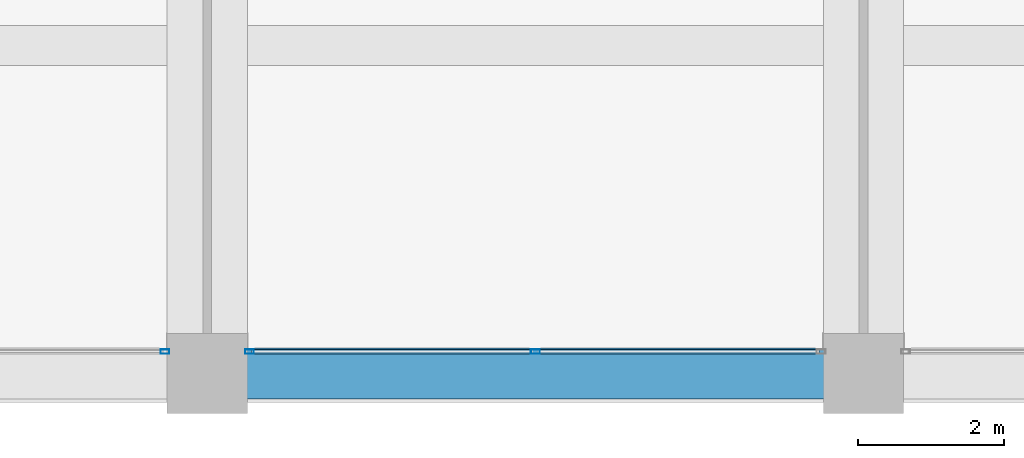
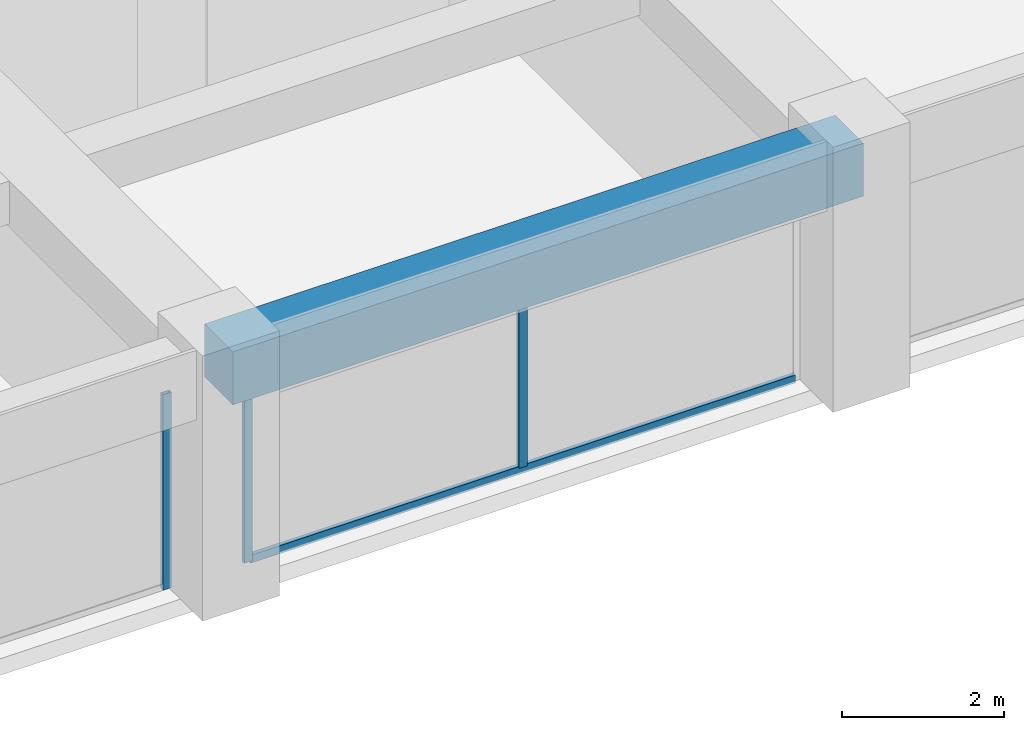
# One storey, part 9 of 45: 4 members, 1 beam, 2 elements without a shape of their own.
"""IFC4 building model written with IfcOpenShell, lengths in metres."""

import ifcopenshell
import ifcopenshell.guid

model = None  # the IFC model being written
_history = None  # IfcOwnerHistory: only IFC2X3 demands one
_inside = {}  # id of a spatial element -> (the spatial element, [elements in it])
_under = {}  # id of a project, library or spatial element -> (it, [spatial elements below it])
_declared = {}  # id of a project -> (the project, [libraries it declares])
_typed = {}  # id of a type object -> (the type object, [elements of that type])
_made_of = {}  # id of a material, layer set ... -> (it, [elements and type objects made of it])


def new_model(schema):
    """Start an empty IFC model of exactly this schema.

    Asked for "IFC4X3", IfcOpenShell would pick the latest addendum, in which some entities
    have other attributes; the version numbers below select the first issue.
    IFC2X3 requires an IfcOwnerHistory on every rooted entity: one is made here for all.
    """
    global model, _history
    if schema == "IFC4X3":
        model = ifcopenshell.file(schema_version=(4, 3, 0, 0))
    else:
        model = ifcopenshell.file(schema=schema)
    _inside.clear()
    _under.clear()
    _declared.clear()
    _typed.clear()
    _made_of.clear()
    _history = None
    if model.schema == "IFC2X3":
        org = make("IfcOrganization", Name="unknown")
        user = make(
            "IfcPersonAndOrganization",
            ThePerson=make("IfcPerson", FamilyName="unknown"),
            TheOrganization=org,
        )
        app = make(
            "IfcApplication",
            ApplicationDeveloper=org,
            Version="unknown",
            ApplicationFullName="unknown",
            ApplicationIdentifier="unknown",
        )
        _history = make(
            "IfcOwnerHistory",
            OwningUser=user,
            OwningApplication=app,
            ChangeAction="ADDED",
            CreationDate=0,
        )
    return model


def make(cls, **values):
    """One entity of the class cls with the attributes given. An attribute that is None is left unset."""
    return model.create_entity(
        cls, **{name: value for name, value in values.items() if value is not None}
    )


def rooted(cls, **values):
    """An entity with a GlobalId (a new one), such as an element, a storey or a relation."""
    return make(cls, GlobalId=ifcopenshell.guid.new(), OwnerHistory=_history, **values)


def si_unit(unit_type, name, prefix=None):
    """IfcSIUnit, for example si_unit("LENGTHUNIT", "METRE", prefix="MILLI")."""
    return make("IfcSIUnit", UnitType=unit_type, Prefix=prefix, Name=name)


def assignment(units):
    """IfcUnitAssignment: the units of a project."""
    return None if units is None else make("IfcUnitAssignment", Units=units)


def point(xyz):
    """IfcCartesianPoint."""
    return None if xyz is None else make("IfcCartesianPoint", Coordinates=xyz)


def direction(xyz):
    """IfcDirection."""
    return None if xyz is None else make("IfcDirection", DirectionRatios=xyz)


def frame(location, z_axis=None, x_axis=None):
    """IfcAxis2Placement3D, a coordinate frame: its origin and axes. An axis left out is left unset."""
    return make(
        "IfcAxis2Placement3D",
        Location=point(location),
        Axis=direction(z_axis),
        RefDirection=direction(x_axis),
    )


def frame_2d(location, x_axis=None):
    """IfcAxis2Placement2D, a coordinate frame in the plane: its origin and x axis."""
    return make(
        "IfcAxis2Placement2D", Location=point(location), RefDirection=direction(x_axis)
    )


def origin():
    """The frame at (0, 0, 0) with its axes left unset."""
    return frame((0.0, 0.0, 0.0))


def origin_2d():
    """The frame at (0, 0) in the plane with its x axis left unset."""
    return frame_2d((0.0, 0.0))


def place(relative_to, where):
    """IfcLocalPlacement: puts the frame where relative to a parent placement (None: the world)."""
    return make(
        "IfcLocalPlacement", PlacementRelTo=relative_to, RelativePlacement=where
    )


def context(
    kind, dimensions, precision=None, world=None, true_north=None, identifier=None
):
    """IfcGeometricRepresentationContext, for example the 3D "Model" context."""
    return make(
        "IfcGeometricRepresentationContext",
        ContextIdentifier=identifier,
        ContextType=kind,
        CoordinateSpaceDimension=dimensions,
        Precision=precision,
        WorldCoordinateSystem=world,
        TrueNorth=true_north,
    )


def subcontext(parent, identifier, kind, view, scale=None):
    """IfcGeometricRepresentationSubContext, for example "Body" below "Model"."""
    return make(
        "IfcGeometricRepresentationSubContext",
        ContextIdentifier=identifier,
        ContextType=kind,
        ParentContext=parent,
        TargetScale=scale,
        TargetView=view,
    )


def project(units=None, contexts=None):
    """IfcProject with its units and contexts."""
    return rooted(
        "IfcProject",
        Name="project",
        RepresentationContexts=contexts,
        UnitsInContext=assignment(units),
    )


def spatial(cls, under=None, at=None, **own):
    """A site, building, storey or space (cls), placed at a placement, below another one or the project."""
    s = rooted(cls, ObjectPlacement=at, **own)
    if under is not None:
        _under.setdefault(under.id(), (under, []))[1].append(s)
    return s


def profile(cls, at=None, kind="AREA", **sizes):
    """A parametric profile (cls). Its sizes go by their IFC names, for example OverallWidth=200.0."""
    return make(cls, ProfileType=kind, Position=at, **sizes)


def rectangle(**sizes):
    """IfcRectangleProfileDef."""
    return profile("IfcRectangleProfileDef", **sizes)


def hollow_rectangle(**sizes):
    """IfcRectangleHollowProfileDef."""
    return profile("IfcRectangleHollowProfileDef", **sizes)


def extrude(swept, where, along, depth):
    """IfcExtrudedAreaSolid: the profile swept, set in the frame where, extruded along a direction by depth."""
    return make(
        "IfcExtrudedAreaSolid",
        SweptArea=swept,
        Position=where,
        ExtrudedDirection=direction(along),
        Depth=depth,
    )


def shape(context_of_items, identifier, shape_type, items):
    """IfcShapeRepresentation: the items that make up one representation, for example the "Body"."""
    return make(
        "IfcShapeRepresentation",
        ContextOfItems=context_of_items,
        RepresentationIdentifier=identifier,
        RepresentationType=shape_type,
        Items=items,
    )


def material(Name=None, Category=None):
    """IfcMaterial."""
    return make("IfcMaterial", Name=Name, Category=Category)


def material_profile(
    of_material, cross_section, Name=None, Category=None, Priority=None
):
    """IfcMaterialProfile: a cross section and its material."""
    return make(
        "IfcMaterialProfile",
        Name=Name,
        Material=of_material,
        Profile=cross_section,
        Priority=Priority,
        Category=Category,
    )


def profile_set(profiles, Name=None, composite=None):
    """IfcMaterialProfileSet."""
    return make(
        "IfcMaterialProfileSet",
        Name=Name,
        MaterialProfiles=profiles,
        CompositeProfile=composite,
    )


def made_of(thing, what):
    """Note that an element or type object is made of a material, layer set ...; save() writes the relation."""
    if what is not None:
        _made_of.setdefault(what.id(), (what, []))[1].append(thing)
    return thing


def type_object(cls, material=None, **own):
    """A type object (cls), such as IfcWallType, which elements share."""
    return made_of(rooted(cls, **own), material)


def element(
    cls,
    number,
    at=None,
    inside=None,
    cuts=None,
    type_object=None,
    material=None,
    context=None,
    identifier="Body",
    shape_type=None,
    held_by="IfcProductDefinitionShape",
    body=None,
    shapes=None,
    **own,
):
    """One element of the class cls, such as IfcWall. Its Tag is "e" and its number.

    at: its placement. inside: the storey or other place that contains it. cuts: it is an
    opening in that element (IfcRelVoidsElement). A single representation is given by context,
    identifier, shape_type and body (its items); several are given by shapes. held_by: the class
    of the entity that holds the representations. save() writes the other relations.
    """
    e = rooted(cls, Tag="e%d" % number, ObjectPlacement=at, **own)
    if body is not None:
        shapes = [shape(context, identifier, shape_type, body)]
    if shapes is not None:
        e.Representation = make(held_by, Representations=shapes)
    if inside is not None:
        _inside.setdefault(inside.id(), (inside, []))[1].append(e)
    if cuts is not None:
        rooted(
            "IfcRelVoidsElement", RelatingBuildingElement=cuts, RelatedOpeningElement=e
        )
    if type_object is not None:
        _typed.setdefault(type_object.id(), (type_object, []))[1].append(e)
    return made_of(e, material)


def aggregate(whole, parts):
    """IfcRelAggregates: a whole, such as a stair, and the parts it consists of."""
    return rooted("IfcRelAggregates", RelatingObject=whole, RelatedObjects=parts)


def save(model, path):
    """Write the relations noted so far, then the file.

    IfcRelAggregates (storeys below a building ...), IfcRelContainedInSpatialStructure (elements
    in a storey), IfcRelDefinesByType, IfcRelAssociatesMaterial and IfcRelDeclares: one each for
    every whole, place, type object, material and project.
    """
    for whole, parts in _under.values():
        aggregate(whole, parts)
    for where, things in _inside.values():
        rooted(
            "IfcRelContainedInSpatialStructure",
            RelatedElements=things,
            RelatingStructure=where,
        )
    for kind, things in _typed.values():
        rooted("IfcRelDefinesByType", RelatedObjects=things, RelatingType=kind)
    for what, things in _made_of.values():
        rooted("IfcRelAssociatesMaterial", RelatedObjects=things, RelatingMaterial=what)
    for by, libraries in _declared.values():
        rooted("IfcRelDeclares", RelatingContext=by, RelatedDefinitions=libraries)
    model.write(path)


model = new_model("IFC4")

# Units and contexts
model_context = context("Model", 3, precision=1e-05, world=origin(), true_north=direction((0.0, 1.0)))
body_context = subcontext(model_context, "Body", "Model", "MODEL_VIEW")
ifc_project = project(units=[si_unit("LENGTHUNIT", "METRE"), si_unit("AREAUNIT", "SQUARE_METRE"), si_unit("VOLUMEUNIT", "CUBIC_METRE"), si_unit("PLANEANGLEUNIT", "RADIAN"), si_unit("MASSUNIT", "GRAM", prefix="KILO")], contexts=[model_context])

# Site, building, storey
site_placement = place(None, origin())
site = spatial("IfcSite", under=ifc_project, at=site_placement, CompositionType="ELEMENT")
building_placement = place(site_placement, origin())
building = spatial("IfcBuilding", under=site, at=building_placement, Name="Zorevar Civic Tower", CompositionType="ELEMENT")
storey_placement = place(building_placement, frame((0.0, 0.0, 291.39990234375)))
storey = spatial("IfcBuildingStorey", under=building, at=storey_placement, Name="L71", CompositionType="ELEMENT", Elevation=291.39990234375)

# Curtain wall, member
ifc_material_1 = material(Name="Dark grey solar-control glass in black aluminium frame", Category="aluminium")
curtain_wall_type = type_object("IfcCurtainWallType", Name="Curtain wall CW5 top zone", PredefinedType="NOTDEFINED", material=ifc_material_1)
curtain_wall_1_placement = place(storey_placement, origin())
curtain_wall_1 = element("IfcCurtainWall", 1, at=curtain_wall_1_placement, inside=storey, type_object=curtain_wall_type, Name="CW5 L71", PredefinedType="NOTDEFINED")
ifc_material_2 = material(Name="Aluminium, black anodised", Category="aluminium")
ifc_material_profile_1 = material_profile(ifc_material_2, hollow_rectangle(XDim=0.06005859375, YDim=0.1201171875, WallThickness=0.0029296875, at=origin_2d()), Name="AL 120x60x3")
ifc_profile_set_1 = profile_set([ifc_material_profile_1], Name="Aluminium, black anodised")
member_type_1 = type_object("IfcMemberType", Name="CW5 mullion AL 120x60x3", PredefinedType="MULLION", material=ifc_profile_set_1)
member_1_placement = place(storey_placement, frame((26.419921875, 0.300048828125, 0.0), z_axis=(0.0, 0.0, 1.0), x_axis=(0.0, 1.0, 0.0)))
member_1 = element("IfcMember", 2, at=member_1_placement, type_object=member_type_1, Name="CW5 mullion 3", PredefinedType="MULLION", context=body_context, shape_type="SweptSolid", body=[
    extrude(hollow_rectangle(XDim=0.06005859375, YDim=0.1201171875, WallThickness=0.0029296875, at=origin_2d()), origin(), (0.0, 0.0, 1.0), 2.9501953125),
])
aggregate(curtain_wall_1, [member_1])

# Curtain wall, members
curtain_wall_2_placement = place(storey_placement, origin())
curtain_wall_2 = element("IfcCurtainWall", 3, at=curtain_wall_2_placement, inside=storey, type_object=curtain_wall_type, Name="CW5 L71", PredefinedType="NOTDEFINED")
member_2_placement = place(storey_placement, frame((27.580078125, 0.300048828125, 0.0), z_axis=(0.0, 0.0, 1.0), x_axis=(0.0, 1.0, 0.0)))
member_2 = element("IfcMember", 4, at=member_2_placement, type_object=member_type_1, Name="CW5 mullion 1", PredefinedType="MULLION", context=body_context, shape_type="SweptSolid", body=[
    extrude(hollow_rectangle(XDim=0.06005859375, YDim=0.1201171875, WallThickness=0.0029296875, at=origin_2d()), origin(), (0.0, 0.0, 1.0), 2.9501953125),
])
member_3_placement = place(storey_placement, frame((31.5, 0.300048828125, 0.06005859375), z_axis=(0.0, 0.0, 1.0), x_axis=(0.0, 1.0, 0.0)))
member_3 = element("IfcMember", 5, at=member_3_placement, type_object=member_type_1, Name="CW5 mullion 2", PredefinedType="MULLION", context=body_context, shape_type="SweptSolid", body=[
    extrude(hollow_rectangle(XDim=0.06005859375, YDim=0.1201171875, WallThickness=0.0029296875, at=origin_2d()), origin(), (0.0, 0.0, 1.0), 2.89013671875),
])
ifc_material_3 = material(Name="Aluminium, black anodised", Category="aluminium")
ifc_material_profile_2 = material_profile(ifc_material_3, hollow_rectangle(XDim=0.06005859375, YDim=0.1201171875, WallThickness=0.0029296875, at=origin_2d()), Name="AL 120x60x3")
ifc_profile_set_2 = profile_set([ifc_material_profile_2], Name="Aluminium, black anodised")
member_type_2 = type_object("IfcMemberType", Name="CW5 transom AL 120x60x3", PredefinedType="USERDEFINED", material=ifc_profile_set_2)
member_4_placement = place(storey_placement, frame((27.610107421875, 0.300048828125, 0.030029296875), z_axis=(1.0, 0.0, 0.0), x_axis=(0.0, 1.0, 0.0)))
member_4 = element("IfcMember", 6, at=member_4_placement, type_object=member_type_2, Name="CW5 sill transom", ObjectType="TRANSOM", PredefinedType="USERDEFINED", context=body_context, shape_type="SweptSolid", body=[
    extrude(hollow_rectangle(XDim=0.06005859375, YDim=0.1201171875, WallThickness=0.0029296875, at=origin_2d()), origin(), (0.0, 0.0, 1.0), 7.77978515625),
])
aggregate(curtain_wall_2, [member_2, member_3, member_4])

# Beam
ifc_material_4 = material(Name="Concrete C50/60", Category="concrete")
ifc_material_profile_3 = material_profile(ifc_material_4, rectangle(XDim=0.699951171875, YDim=0.800048828125, at=origin_2d()), Name="RC 700x800")
ifc_profile_set_3 = profile_set([ifc_material_profile_3], Name="Concrete C50/60")
beam_type = type_object("IfcBeamType", Name="Edge beam RC 700x800", PredefinedType="SPANDREL", material=ifc_profile_set_3)
beam_placement = place(storey_placement, frame((27.0, 0.0, 3.35009765625), z_axis=(1.0, 0.0, 0.0), x_axis=(0.0, 1.0, 0.0)))
element("IfcBeam", 7, at=beam_placement, inside=storey, type_object=beam_type, Name="Edge beam L72", PredefinedType="SPANDREL", context=body_context, shape_type="SweptSolid", body=[
    extrude(rectangle(XDim=0.699951171875, YDim=0.800048828125, at=origin_2d()), origin(), (0.0, 0.0, 1.0), 9.0),
])

save(model, "model.ifc")
